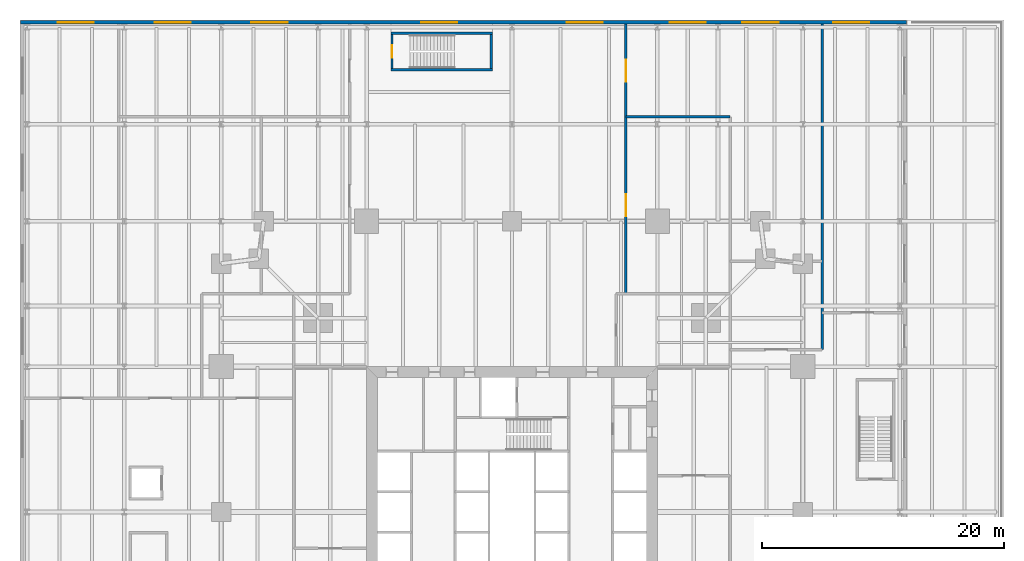
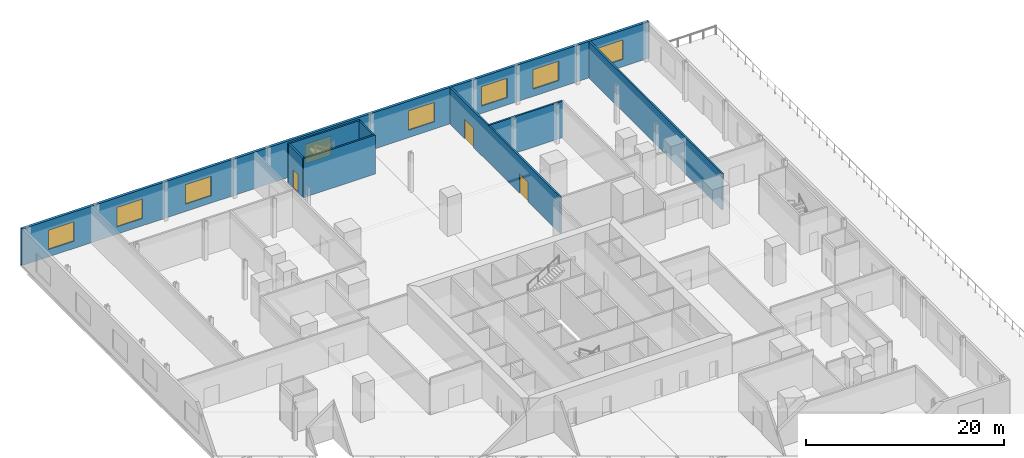
# One storey, part 15 of 18: 8 walls, 8 windows, 3 doors, 11 openings.
"""IFC4 building model written with IfcOpenShell, lengths in metres."""

import ifcopenshell
import ifcopenshell.guid

model = None  # the IFC model being written
_history = None  # IfcOwnerHistory: only IFC2X3 demands one
_inside = {}  # id of a spatial element -> (the spatial element, [elements in it])
_under = {}  # id of a project, library or spatial element -> (it, [spatial elements below it])
_declared = {}  # id of a project -> (the project, [libraries it declares])
_typed = {}  # id of a type object -> (the type object, [elements of that type])
_made_of = {}  # id of a material, layer set ... -> (it, [elements and type objects made of it])


def new_model(schema):
    """Start an empty IFC model of exactly this schema.

    Asked for "IFC4X3", IfcOpenShell would pick the latest addendum, in which some entities
    have other attributes; the version numbers below select the first issue.
    IFC2X3 requires an IfcOwnerHistory on every rooted entity: one is made here for all.
    """
    global model, _history
    if schema == "IFC4X3":
        model = ifcopenshell.file(schema_version=(4, 3, 0, 0))
    else:
        model = ifcopenshell.file(schema=schema)
    _inside.clear()
    _under.clear()
    _declared.clear()
    _typed.clear()
    _made_of.clear()
    _history = None
    if model.schema == "IFC2X3":
        org = make("IfcOrganization", Name="unknown")
        user = make(
            "IfcPersonAndOrganization",
            ThePerson=make("IfcPerson", FamilyName="unknown"),
            TheOrganization=org,
        )
        app = make(
            "IfcApplication",
            ApplicationDeveloper=org,
            Version="unknown",
            ApplicationFullName="unknown",
            ApplicationIdentifier="unknown",
        )
        _history = make(
            "IfcOwnerHistory",
            OwningUser=user,
            OwningApplication=app,
            ChangeAction="ADDED",
            CreationDate=0,
        )
    return model


def make(cls, **values):
    """One entity of the class cls with the attributes given. An attribute that is None is left unset."""
    return model.create_entity(
        cls, **{name: value for name, value in values.items() if value is not None}
    )


def rooted(cls, **values):
    """An entity with a GlobalId (a new one), such as an element, a storey or a relation."""
    return make(cls, GlobalId=ifcopenshell.guid.new(), OwnerHistory=_history, **values)


def si_unit(unit_type, name, prefix=None):
    """IfcSIUnit, for example si_unit("LENGTHUNIT", "METRE", prefix="MILLI")."""
    return make("IfcSIUnit", UnitType=unit_type, Prefix=prefix, Name=name)


def assignment(units):
    """IfcUnitAssignment: the units of a project."""
    return None if units is None else make("IfcUnitAssignment", Units=units)


def point(xyz):
    """IfcCartesianPoint."""
    return None if xyz is None else make("IfcCartesianPoint", Coordinates=xyz)


def direction(xyz):
    """IfcDirection."""
    return None if xyz is None else make("IfcDirection", DirectionRatios=xyz)


def frame(location, z_axis=None, x_axis=None):
    """IfcAxis2Placement3D, a coordinate frame: its origin and axes. An axis left out is left unset."""
    return make(
        "IfcAxis2Placement3D",
        Location=point(location),
        Axis=direction(z_axis),
        RefDirection=direction(x_axis),
    )


def frame_2d(location, x_axis=None):
    """IfcAxis2Placement2D, a coordinate frame in the plane: its origin and x axis."""
    return make(
        "IfcAxis2Placement2D", Location=point(location), RefDirection=direction(x_axis)
    )


def origin():
    """The frame at (0, 0, 0) with its axes left unset."""
    return frame((0.0, 0.0, 0.0))


def place(relative_to, where):
    """IfcLocalPlacement: puts the frame where relative to a parent placement (None: the world)."""
    return make(
        "IfcLocalPlacement", PlacementRelTo=relative_to, RelativePlacement=where
    )


def context(
    kind, dimensions, precision=None, world=None, true_north=None, identifier=None
):
    """IfcGeometricRepresentationContext, for example the 3D "Model" context."""
    return make(
        "IfcGeometricRepresentationContext",
        ContextIdentifier=identifier,
        ContextType=kind,
        CoordinateSpaceDimension=dimensions,
        Precision=precision,
        WorldCoordinateSystem=world,
        TrueNorth=true_north,
    )


def subcontext(parent, identifier, kind, view, scale=None):
    """IfcGeometricRepresentationSubContext, for example "Body" below "Model"."""
    return make(
        "IfcGeometricRepresentationSubContext",
        ContextIdentifier=identifier,
        ContextType=kind,
        ParentContext=parent,
        TargetScale=scale,
        TargetView=view,
    )


def project(units=None, contexts=None):
    """IfcProject with its units and contexts."""
    return rooted(
        "IfcProject",
        Name="project",
        RepresentationContexts=contexts,
        UnitsInContext=assignment(units),
    )


def spatial(cls, under=None, at=None, **own):
    """A site, building, storey or space (cls), placed at a placement, below another one or the project."""
    s = rooted(cls, ObjectPlacement=at, **own)
    if under is not None:
        _under.setdefault(under.id(), (under, []))[1].append(s)
    return s


def profile(cls, at=None, kind="AREA", **sizes):
    """A parametric profile (cls). Its sizes go by their IFC names, for example OverallWidth=200.0."""
    return make(cls, ProfileType=kind, Position=at, **sizes)


def rectangle(**sizes):
    """IfcRectangleProfileDef."""
    return profile("IfcRectangleProfileDef", **sizes)


def extrude(swept, where, along, depth):
    """IfcExtrudedAreaSolid: the profile swept, set in the frame where, extruded along a direction by depth."""
    return make(
        "IfcExtrudedAreaSolid",
        SweptArea=swept,
        Position=where,
        ExtrudedDirection=direction(along),
        Depth=depth,
    )


def shape(context_of_items, identifier, shape_type, items):
    """IfcShapeRepresentation: the items that make up one representation, for example the "Body"."""
    return make(
        "IfcShapeRepresentation",
        ContextOfItems=context_of_items,
        RepresentationIdentifier=identifier,
        RepresentationType=shape_type,
        Items=items,
    )


def material(Name=None, Category=None):
    """IfcMaterial."""
    return make("IfcMaterial", Name=Name, Category=Category)


def layer(
    of_material, thickness, ventilated=None, Name=None, Category=None, Priority=None
):
    """IfcMaterialLayer: one layer of a wall or slab, of a material (None: an air gap)."""
    return make(
        "IfcMaterialLayer",
        Material=of_material,
        LayerThickness=thickness,
        IsVentilated=ventilated,
        Name=Name,
        Category=Category,
        Priority=Priority,
    )


def layer_set(layers, Name=None):
    """IfcMaterialLayerSet."""
    return make("IfcMaterialLayerSet", MaterialLayers=layers, LayerSetName=Name)


def made_of(thing, what):
    """Note that an element or type object is made of a material, layer set ...; save() writes the relation."""
    if what is not None:
        _made_of.setdefault(what.id(), (what, []))[1].append(thing)
    return thing


def type_object(cls, material=None, **own):
    """A type object (cls), such as IfcWallType, which elements share."""
    return made_of(rooted(cls, **own), material)


def element(
    cls,
    number,
    at=None,
    inside=None,
    cuts=None,
    type_object=None,
    material=None,
    context=None,
    identifier="Body",
    shape_type=None,
    held_by="IfcProductDefinitionShape",
    body=None,
    shapes=None,
    **own,
):
    """One element of the class cls, such as IfcWall. Its Tag is "e" and its number.

    at: its placement. inside: the storey or other place that contains it. cuts: it is an
    opening in that element (IfcRelVoidsElement). A single representation is given by context,
    identifier, shape_type and body (its items); several are given by shapes. held_by: the class
    of the entity that holds the representations. save() writes the other relations.
    """
    e = rooted(cls, Tag="e%d" % number, ObjectPlacement=at, **own)
    if body is not None:
        shapes = [shape(context, identifier, shape_type, body)]
    if shapes is not None:
        e.Representation = make(held_by, Representations=shapes)
    if inside is not None:
        _inside.setdefault(inside.id(), (inside, []))[1].append(e)
    if cuts is not None:
        rooted(
            "IfcRelVoidsElement", RelatingBuildingElement=cuts, RelatedOpeningElement=e
        )
    if type_object is not None:
        _typed.setdefault(type_object.id(), (type_object, []))[1].append(e)
    return made_of(e, material)


def fill(opening, filler):
    """IfcRelFillsElement: the door or window that sits in an opening."""
    return rooted(
        "IfcRelFillsElement",
        RelatingOpeningElement=opening,
        RelatedBuildingElement=filler,
    )


def aggregate(whole, parts):
    """IfcRelAggregates: a whole, such as a stair, and the parts it consists of."""
    return rooted("IfcRelAggregates", RelatingObject=whole, RelatedObjects=parts)


def save(model, path):
    """Write the relations noted so far, then the file.

    IfcRelAggregates (storeys below a building ...), IfcRelContainedInSpatialStructure (elements
    in a storey), IfcRelDefinesByType, IfcRelAssociatesMaterial and IfcRelDeclares: one each for
    every whole, place, type object, material and project.
    """
    for whole, parts in _under.values():
        aggregate(whole, parts)
    for where, things in _inside.values():
        rooted(
            "IfcRelContainedInSpatialStructure",
            RelatedElements=things,
            RelatingStructure=where,
        )
    for kind, things in _typed.values():
        rooted("IfcRelDefinesByType", RelatedObjects=things, RelatingType=kind)
    for what, things in _made_of.values():
        rooted("IfcRelAssociatesMaterial", RelatedObjects=things, RelatingMaterial=what)
    for by, libraries in _declared.values():
        rooted("IfcRelDeclares", RelatingContext=by, RelatedDefinitions=libraries)
    model.write(path)


model = new_model("IFC4")

# Units and contexts
model_context = context("Model", 3, precision=1e-05, world=origin(), true_north=direction((0.0, 1.0)))
body_context = subcontext(model_context, "Body", "Model", "MODEL_VIEW")
ifc_project = project(units=[si_unit("LENGTHUNIT", "METRE"), si_unit("AREAUNIT", "SQUARE_METRE"), si_unit("VOLUMEUNIT", "CUBIC_METRE"), si_unit("PLANEANGLEUNIT", "RADIAN"), si_unit("MASSUNIT", "GRAM", prefix="KILO")], contexts=[model_context])

# Site, building, storey
site_placement = place(None, origin())
site = spatial("IfcSite", under=ifc_project, at=site_placement, CompositionType="ELEMENT")
building_placement = place(site_placement, origin())
building = spatial("IfcBuilding", under=site, at=building_placement, Name="Fenwick Lantern Interchange", CompositionType="ELEMENT")
storey_placement = place(building_placement, frame((0.0, 0.0, 11.800048828125)))
storey = spatial("IfcBuildingStorey", under=building, at=storey_placement, Name="L02", CompositionType="ELEMENT", Elevation=11.800048828125)

# Wall, openings, windows
ifc_material_1 = material(Name="Limestone ASTM C568 Classification II", Category="masonry")
ifc_layer_1 = layer(ifc_material_1, 0.074951171875)
ifc_material_2 = material(Name="Mineral wool insulation")
ifc_layer_2 = layer(ifc_material_2, 0.125)
ifc_material_3 = material(Name="Cold-formed galvanised steel studs", Category="steel")
ifc_layer_3 = layer(ifc_material_3, 0.10009765625)
ifc_layer_set_1 = layer_set([ifc_layer_1, ifc_layer_2, ifc_layer_3], Name="Limestone ASTM C568 Classification II")
wall_type_1 = type_object("IfcWallType", Name="LIMESTONE RAINSCREEN WALL 300", PredefinedType="SOLIDWALL", material=ifc_layer_set_1)
wall_1_placement = place(storey_placement, frame((57.550048828125, 65.39990234375, 0.0), z_axis=(0.0, 0.0, 1.0), x_axis=(-1.0, 0.0, 0.0)))
wall_1 = element("IfcWall", 1, at=wall_1_placement, inside=storey, type_object=wall_type_1, Name="L02/EW/N", PredefinedType="SOLIDWALL", context=body_context, shape_type="SweptSolid", body=[
    extrude(rectangle(XDim=73.10009765625, YDim=0.300048828125, at=frame_2d((36.550048828125, 0.0))), origin(), (0.0, 0.0, 1.0), 4.5),
])
opening_1_placement = place(wall_1_placement, frame((67.050048828125, 0.0, 0.89990234375)))
opening_1 = element("IfcOpeningElement", 2, at=opening_1_placement, cuts=wall_1, Name="Opening W1", PredefinedType="OPENING", context=body_context, shape_type="SweptSolid", body=[
    extrude(rectangle(XDim=3.0, YDim=2.39990234375, at=frame_2d((1.5, 1.199951171875))), frame((0.0, 0.159912109375, 0.0), z_axis=(0.0, -1.0, 0.0), x_axis=(1.0, 0.0, 0.0)), (0.0, 0.0, 1.0), 0.320068359375),
])
opening_2_placement = place(wall_1_placement, frame((59.050048828125, 0.0, 0.89990234375)))
opening_2 = element("IfcOpeningElement", 3, at=opening_2_placement, cuts=wall_1, Name="Opening W1", PredefinedType="OPENING", context=body_context, shape_type="SweptSolid", body=[
    extrude(rectangle(XDim=3.0, YDim=2.39990234375, at=frame_2d((1.5, 1.199951171875))), frame((0.0, 0.159912109375, 0.0), z_axis=(0.0, -1.0, 0.0), x_axis=(1.0, 0.0, 0.0)), (0.0, 0.0, 1.0), 0.320068359375),
])
opening_3_placement = place(wall_1_placement, frame((51.050048828125, 0.0, 0.89990234375)))
opening_3 = element("IfcOpeningElement", 4, at=opening_3_placement, cuts=wall_1, Name="Opening W1", PredefinedType="OPENING", context=body_context, shape_type="SweptSolid", body=[
    extrude(rectangle(XDim=3.0, YDim=2.39990234375, at=frame_2d((1.5, 1.199951171875))), frame((0.0, 0.159912109375, 0.0), z_axis=(0.0, -1.0, 0.0), x_axis=(1.0, 0.0, 0.0)), (0.0, 0.0, 1.0), 0.320068359375),
])
opening_4_placement = place(wall_1_placement, frame((37.050048828125, 0.0, 0.89990234375)))
opening_4 = element("IfcOpeningElement", 5, at=opening_4_placement, cuts=wall_1, Name="Opening W1", PredefinedType="OPENING", context=body_context, shape_type="SweptSolid", body=[
    extrude(rectangle(XDim=3.0, YDim=2.39990234375, at=frame_2d((1.5, 1.199951171875))), frame((0.0, 0.159912109375, 0.0), z_axis=(0.0, -1.0, 0.0), x_axis=(1.0, 0.0, 0.0)), (0.0, 0.0, 1.0), 0.320068359375),
])
opening_5_placement = place(wall_1_placement, frame((25.050048828125, 0.0, 0.89990234375)))
opening_5 = element("IfcOpeningElement", 6, at=opening_5_placement, cuts=wall_1, Name="Opening W1", PredefinedType="OPENING", context=body_context, shape_type="SweptSolid", body=[
    extrude(rectangle(XDim=3.0, YDim=2.39990234375, at=frame_2d((1.5, 1.199951171875))), frame((0.0, 0.159912109375, 0.0), z_axis=(0.0, -1.0, 0.0), x_axis=(1.0, 0.0, 0.0)), (0.0, 0.0, 1.0), 0.320068359375),
])
opening_6_placement = place(wall_1_placement, frame((16.550048828125, 0.0, 0.89990234375)))
opening_6 = element("IfcOpeningElement", 7, at=opening_6_placement, cuts=wall_1, Name="Opening W1", PredefinedType="OPENING", context=body_context, shape_type="SweptSolid", body=[
    extrude(rectangle(XDim=3.0, YDim=2.39990234375, at=frame_2d((1.5, 1.199951171875))), frame((0.0, 0.159912109375, 0.0), z_axis=(0.0, -1.0, 0.0), x_axis=(1.0, 0.0, 0.0)), (0.0, 0.0, 1.0), 0.320068359375),
])
opening_7_placement = place(wall_1_placement, frame((10.550048828125, 0.0, 0.89990234375)))
opening_7 = element("IfcOpeningElement", 8, at=opening_7_placement, cuts=wall_1, Name="Opening W1", PredefinedType="OPENING", context=body_context, shape_type="SweptSolid", body=[
    extrude(rectangle(XDim=3.0, YDim=2.39990234375, at=frame_2d((1.5, 1.199951171875))), frame((0.0, 0.159912109375, 0.0), z_axis=(0.0, -1.0, 0.0), x_axis=(1.0, 0.0, 0.0)), (0.0, 0.0, 1.0), 0.320068359375),
])
opening_8_placement = place(wall_1_placement, frame((3.050048828125, 0.0, 0.89990234375)))
opening_8 = element("IfcOpeningElement", 9, at=opening_8_placement, cuts=wall_1, Name="Opening W1", PredefinedType="OPENING", context=body_context, shape_type="SweptSolid", body=[
    extrude(rectangle(XDim=3.0, YDim=2.39990234375, at=frame_2d((1.5, 1.199951171875))), frame((0.0, 0.159912109375, 0.0), z_axis=(0.0, -1.0, 0.0), x_axis=(1.0, 0.0, 0.0)), (0.0, 0.0, 1.0), 0.320068359375),
])
ifc_material_4 = material(Name="Aluminium window, clear glass", Category="aluminium")
window_type = type_object("IfcWindowType", Name="PODIUM WINDOW 3000 X 2400", PartitioningType="SINGLE_PANEL", PredefinedType="WINDOW", material=ifc_material_4)
window_1_placement = place(opening_1_placement, origin())
window_1 = element("IfcWindow", 10, at=window_1_placement, inside=storey, type_object=window_type, Name="Podium window", OverallHeight=2.39990234375, OverallWidth=3.0, PartitioningType="SINGLE_PANEL", PredefinedType="WINDOW", context=body_context, shape_type="SweptSolid", body=[
    extrude(rectangle(XDim=3.0, YDim=2.39990234375, at=frame_2d((1.5, 1.199951171875))), frame((0.0, 0.030029296875, 0.0), z_axis=(0.0, -1.0, 0.0), x_axis=(1.0, 0.0, 0.0)), (0.0, 0.0, 1.0), 0.06005859375),
])
fill(opening_1, window_1)
window_2_placement = place(opening_2_placement, origin())
window_2 = element("IfcWindow", 11, at=window_2_placement, inside=storey, type_object=window_type, Name="Podium window", OverallHeight=2.39990234375, OverallWidth=3.0, PartitioningType="SINGLE_PANEL", PredefinedType="WINDOW", context=body_context, shape_type="SweptSolid", body=[
    extrude(rectangle(XDim=3.0, YDim=2.39990234375, at=frame_2d((1.5, 1.199951171875))), frame((0.0, 0.030029296875, 0.0), z_axis=(0.0, -1.0, 0.0), x_axis=(1.0, 0.0, 0.0)), (0.0, 0.0, 1.0), 0.06005859375),
])
fill(opening_2, window_2)
window_3_placement = place(opening_3_placement, origin())
window_3 = element("IfcWindow", 12, at=window_3_placement, inside=storey, type_object=window_type, Name="Podium window", OverallHeight=2.39990234375, OverallWidth=3.0, PartitioningType="SINGLE_PANEL", PredefinedType="WINDOW", context=body_context, shape_type="SweptSolid", body=[
    extrude(rectangle(XDim=3.0, YDim=2.39990234375, at=frame_2d((1.5, 1.199951171875))), frame((0.0, 0.030029296875, 0.0), z_axis=(0.0, -1.0, 0.0), x_axis=(1.0, 0.0, 0.0)), (0.0, 0.0, 1.0), 0.06005859375),
])
fill(opening_3, window_3)
window_4_placement = place(opening_4_placement, origin())
window_4 = element("IfcWindow", 13, at=window_4_placement, inside=storey, type_object=window_type, Name="Podium window", OverallHeight=2.39990234375, OverallWidth=3.0, PartitioningType="SINGLE_PANEL", PredefinedType="WINDOW", context=body_context, shape_type="SweptSolid", body=[
    extrude(rectangle(XDim=3.0, YDim=2.39990234375, at=frame_2d((1.5, 1.199951171875))), frame((0.0, 0.030029296875, 0.0), z_axis=(0.0, -1.0, 0.0), x_axis=(1.0, 0.0, 0.0)), (0.0, 0.0, 1.0), 0.06005859375),
])
fill(opening_4, window_4)
window_5_placement = place(opening_5_placement, origin())
window_5 = element("IfcWindow", 14, at=window_5_placement, inside=storey, type_object=window_type, Name="Podium window", OverallHeight=2.39990234375, OverallWidth=3.0, PartitioningType="SINGLE_PANEL", PredefinedType="WINDOW", context=body_context, shape_type="SweptSolid", body=[
    extrude(rectangle(XDim=3.0, YDim=2.39990234375, at=frame_2d((1.5, 1.199951171875))), frame((0.0, 0.030029296875, 0.0), z_axis=(0.0, -1.0, 0.0), x_axis=(1.0, 0.0, 0.0)), (0.0, 0.0, 1.0), 0.06005859375),
])
fill(opening_5, window_5)
window_6_placement = place(opening_6_placement, origin())
window_6 = element("IfcWindow", 15, at=window_6_placement, inside=storey, type_object=window_type, Name="Podium window", OverallHeight=2.39990234375, OverallWidth=3.0, PartitioningType="SINGLE_PANEL", PredefinedType="WINDOW", context=body_context, shape_type="SweptSolid", body=[
    extrude(rectangle(XDim=3.0, YDim=2.39990234375, at=frame_2d((1.5, 1.199951171875))), frame((0.0, 0.030029296875, 0.0), z_axis=(0.0, -1.0, 0.0), x_axis=(1.0, 0.0, 0.0)), (0.0, 0.0, 1.0), 0.06005859375),
])
fill(opening_6, window_6)
window_7_placement = place(opening_7_placement, origin())
window_7 = element("IfcWindow", 16, at=window_7_placement, inside=storey, type_object=window_type, Name="Podium window", OverallHeight=2.39990234375, OverallWidth=3.0, PartitioningType="SINGLE_PANEL", PredefinedType="WINDOW", context=body_context, shape_type="SweptSolid", body=[
    extrude(rectangle(XDim=3.0, YDim=2.39990234375, at=frame_2d((1.5, 1.199951171875))), frame((0.0, 0.030029296875, 0.0), z_axis=(0.0, -1.0, 0.0), x_axis=(1.0, 0.0, 0.0)), (0.0, 0.0, 1.0), 0.06005859375),
])
fill(opening_7, window_7)
window_8_placement = place(opening_8_placement, origin())
window_8 = element("IfcWindow", 17, at=window_8_placement, inside=storey, type_object=window_type, Name="Podium window", OverallHeight=2.39990234375, OverallWidth=3.0, PartitioningType="SINGLE_PANEL", PredefinedType="WINDOW", context=body_context, shape_type="SweptSolid", body=[
    extrude(rectangle(XDim=3.0, YDim=2.39990234375, at=frame_2d((1.5, 1.199951171875))), frame((0.0, 0.030029296875, 0.0), z_axis=(0.0, -1.0, 0.0), x_axis=(1.0, 0.0, 0.0)), (0.0, 0.0, 1.0), 0.06005859375),
])
fill(opening_8, window_8)

# Wall, openings, doors
ifc_material_5 = material(Name="Gypsum board on steel studs, 1 hour", Category="steel")
ifc_layer_4 = layer(ifc_material_5, 0.199951171875)
ifc_layer_set_2 = layer_set([ifc_layer_4], Name="ROOM WALL 200")
wall_type_2 = type_object("IfcWallType", Name="ROOM WALL 200", PredefinedType="PARTITIONING", material=ifc_layer_set_2)
wall_2_placement = place(storey_placement, frame((34.39990234375, 43.0, 0.0), z_axis=(0.0, 0.0, 1.0), x_axis=(0.0, 1.0, 0.0)))
wall_2 = element("IfcWall", 18, at=wall_2_placement, inside=storey, type_object=wall_type_2, Name="L02/W/POD/X34.4-2", PredefinedType="PARTITIONING", context=body_context, shape_type="SweptSolid", body=[
    extrude(rectangle(XDim=22.25, YDim=0.199951171875, at=frame_2d((11.125, 0.0))), origin(), (0.0, 0.0, 1.0), 4.5),
])
opening_9_placement = place(wall_2_placement, frame((6.425048828125, 0.0, 0.0)))
opening_9 = element("IfcOpeningElement", 19, at=opening_9_placement, cuts=wall_2, Name="Opening L02-D039", PredefinedType="OPENING", context=body_context, shape_type="SweptSolid", body=[
    extrude(rectangle(XDim=1.800048828125, YDim=2.39990234375, at=frame_2d((0.89990234375, 1.199951171875))), frame((0.0, 0.10986328125, 0.0), z_axis=(0.0, -1.0, 0.0), x_axis=(1.0, 0.0, 0.0)), (0.0, 0.0, 1.0), 0.219970703125),
])
opening_10_placement = place(wall_2_placement, frame((17.5, 0.0, 0.0)))
opening_10 = element("IfcOpeningElement", 20, at=opening_10_placement, cuts=wall_2, Name="Opening L02-D040", PredefinedType="OPENING", context=body_context, shape_type="SweptSolid", body=[
    extrude(rectangle(XDim=1.800048828125, YDim=2.39990234375, at=frame_2d((0.89990234375, 1.199951171875))), frame((0.0, 0.10986328125, 0.0), z_axis=(0.0, -1.0, 0.0), x_axis=(1.0, 0.0, 0.0)), (0.0, 0.0, 1.0), 0.219970703125),
])
ifc_material_6 = material(Name="Steel door and frame", Category="steel")
door_type_1 = type_object("IfcDoorType", Name="ROOM DOOR PAIR 1800 X 2400", OperationType="DOUBLE_DOOR_SINGLE_SWING", PredefinedType="DOOR", material=ifc_material_6)
door_1_placement = place(opening_9_placement, origin())
door_1 = element("IfcDoor", 21, at=door_1_placement, inside=storey, type_object=door_type_1, Name="Room door pair", OperationType="DOUBLE_DOOR_SINGLE_SWING", OverallHeight=2.39990234375, OverallWidth=1.800048828125, PredefinedType="DOOR", context=body_context, shape_type="SweptSolid", body=[
    extrude(rectangle(XDim=1.800048828125, YDim=2.39990234375, at=frame_2d((0.89990234375, 1.199951171875))), frame((0.0, 0.02490234375, 0.0), z_axis=(0.0, -1.0, 0.0), x_axis=(1.0, 0.0, 0.0)), (0.0, 0.0, 1.0), 0.050048828125),
])
fill(opening_9, door_1)
door_2_placement = place(opening_10_placement, origin())
door_2 = element("IfcDoor", 22, at=door_2_placement, inside=storey, type_object=door_type_1, Name="Room door pair", OperationType="DOUBLE_DOOR_SINGLE_SWING", OverallHeight=2.39990234375, OverallWidth=1.800048828125, PredefinedType="DOOR", context=body_context, shape_type="SweptSolid", body=[
    extrude(rectangle(XDim=1.800048828125, YDim=2.39990234375, at=frame_2d((0.89990234375, 1.199951171875))), frame((0.0, 0.02490234375, 0.0), z_axis=(0.0, -1.0, 0.0), x_axis=(1.0, 0.0, 0.0)), (0.0, 0.0, 1.0), 0.050048828125),
])
fill(opening_10, door_2)

# Walls
wall_3_placement = place(storey_placement, frame((50.60009765625, 38.39990234375, 0.0), z_axis=(0.0, 0.0, 1.0), x_axis=(0.0, 1.0, 0.0)))
element("IfcWall", 23, at=wall_3_placement, inside=storey, type_object=wall_type_2, Name="L02/W/POD/X50.6-3", PredefinedType="PARTITIONING", context=body_context, shape_type="SweptSolid", body=[
    extrude(rectangle(XDim=26.85009765625, YDim=0.199951171875, at=frame_2d((13.425048828125, 0.0))), origin(), (0.0, 0.0, 1.0), 4.5),
])
wall_4_placement = place(storey_placement, frame((34.39990234375, 57.60009765625, 0.0), z_axis=(0.0, 0.0, 1.0), x_axis=(1.0, 0.0, 0.0)))
element("IfcWall", 24, at=wall_4_placement, inside=storey, type_object=wall_type_2, Name="L02/W/POD/Y57.6-2", PredefinedType="PARTITIONING", context=body_context, shape_type="SweptSolid", body=[
    extrude(rectangle(XDim=8.60009765625, YDim=0.199951171875, at=frame_2d((4.300048828125, 0.0))), origin(), (0.0, 0.0, 1.0), 4.5),
])
ifc_material_7 = material(Name="Reinforced concrete masonry ASTM C90 Grade N", Category="masonry")
ifc_layer_5 = layer(ifc_material_7, 0.199951171875)
ifc_layer_set_3 = layer_set([ifc_layer_5], Name="Reinforced concrete masonry ASTM C90 Grade N")
wall_type_3 = type_object("IfcWallType", Name="STAIR ENCLOSURE 200", PredefinedType="SOLIDWALL", material=ifc_layer_set_3)
wall_5_placement = place(storey_placement, frame((15.0, 61.5, 0.0), z_axis=(0.0, 0.0, 1.0), x_axis=(1.0, 0.0, 0.0)))
element("IfcWall", 25, at=wall_5_placement, inside=storey, type_object=wall_type_3, Name="L02/W/PS1/S", PredefinedType="SOLIDWALL", context=body_context, shape_type="SweptSolid", body=[
    extrude(rectangle(XDim=8.39990234375, YDim=0.199951171875, at=frame_2d((4.199951171875, 0.0))), origin(), (0.0, 0.0, 1.0), 4.800048828125),
])
wall_6_placement = place(storey_placement, frame((23.300048828125, 61.60009765625, 0.0), z_axis=(0.0, 0.0, 1.0), x_axis=(0.0, 1.0, 0.0)))
element("IfcWall", 26, at=wall_6_placement, inside=storey, type_object=wall_type_3, Name="L02/W/PS1/E", PredefinedType="SOLIDWALL", context=body_context, shape_type="SweptSolid", body=[
    extrude(rectangle(XDim=2.7998046875, YDim=0.199951171875, at=frame_2d((1.39990234375, 0.0))), origin(), (0.0, 0.0, 1.0), 4.800048828125),
])
wall_7_placement = place(storey_placement, frame((23.39990234375, 64.5, 0.0), z_axis=(0.0, 0.0, 1.0), x_axis=(-1.0, 0.0, 0.0)))
element("IfcWall", 27, at=wall_7_placement, inside=storey, type_object=wall_type_3, Name="L02/W/PS1/N", PredefinedType="SOLIDWALL", context=body_context, shape_type="SweptSolid", body=[
    extrude(rectangle(XDim=8.39990234375, YDim=0.199951171875, at=frame_2d((4.199951171875, 0.0))), origin(), (0.0, 0.0, 1.0), 4.800048828125),
])

# Wall, opening, door
wall_8_placement = place(storey_placement, frame((15.10009765625, 64.39990234375, 0.0), z_axis=(0.0, 0.0, 1.0), x_axis=(0.0, -1.0, 0.0)))
wall_8 = element("IfcWall", 28, at=wall_8_placement, inside=storey, type_object=wall_type_3, Name="L02/W/PS1/W", PredefinedType="SOLIDWALL", context=body_context, shape_type="SweptSolid", body=[
    extrude(rectangle(XDim=2.7998046875, YDim=0.199951171875, at=frame_2d((1.39990234375, 0.0))), origin(), (0.0, 0.0, 1.0), 4.800048828125),
])
opening_11_placement = place(wall_8_placement, frame((0.89990234375, 0.0, 0.0)))
opening_11 = element("IfcOpeningElement", 29, at=opening_11_placement, cuts=wall_8, Name="Opening L02-D024", PredefinedType="OPENING", context=body_context, shape_type="SweptSolid", body=[
    extrude(rectangle(XDim=1.0, YDim=2.199951171875, at=frame_2d((0.5, 1.10009765625))), frame((0.0, 0.10986328125, 0.0), z_axis=(0.0, -1.0, 0.0), x_axis=(1.0, 0.0, 0.0)), (0.0, 0.0, 1.0), 0.219970703125),
])
door_type_2 = type_object("IfcDoorType", Name="STAIR DOOR 1000 X 2200", OperationType="SINGLE_SWING_LEFT", PredefinedType="DOOR", material=ifc_material_6)
door_3_placement = place(opening_11_placement, origin())
door_3 = element("IfcDoor", 30, at=door_3_placement, inside=storey, type_object=door_type_2, Name="Stair door", OperationType="SINGLE_SWING_LEFT", OverallHeight=2.199951171875, OverallWidth=1.0, PredefinedType="DOOR", context=body_context, shape_type="SweptSolid", body=[
    extrude(rectangle(XDim=1.0, YDim=2.199951171875, at=frame_2d((0.5, 1.10009765625))), frame((0.0, 0.02490234375, 0.0), z_axis=(0.0, -1.0, 0.0), x_axis=(1.0, 0.0, 0.0)), (0.0, 0.0, 1.0), 0.050048828125),
])
fill(opening_11, door_3)

save(model, "model.ifc")
